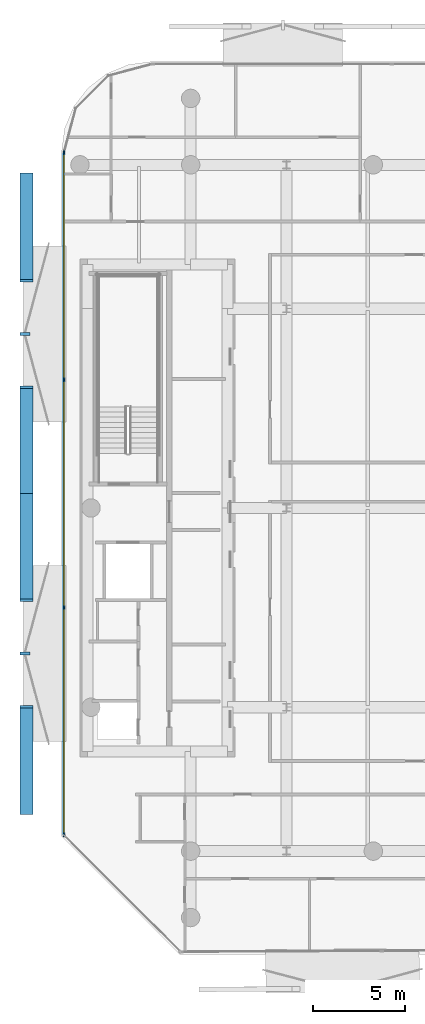
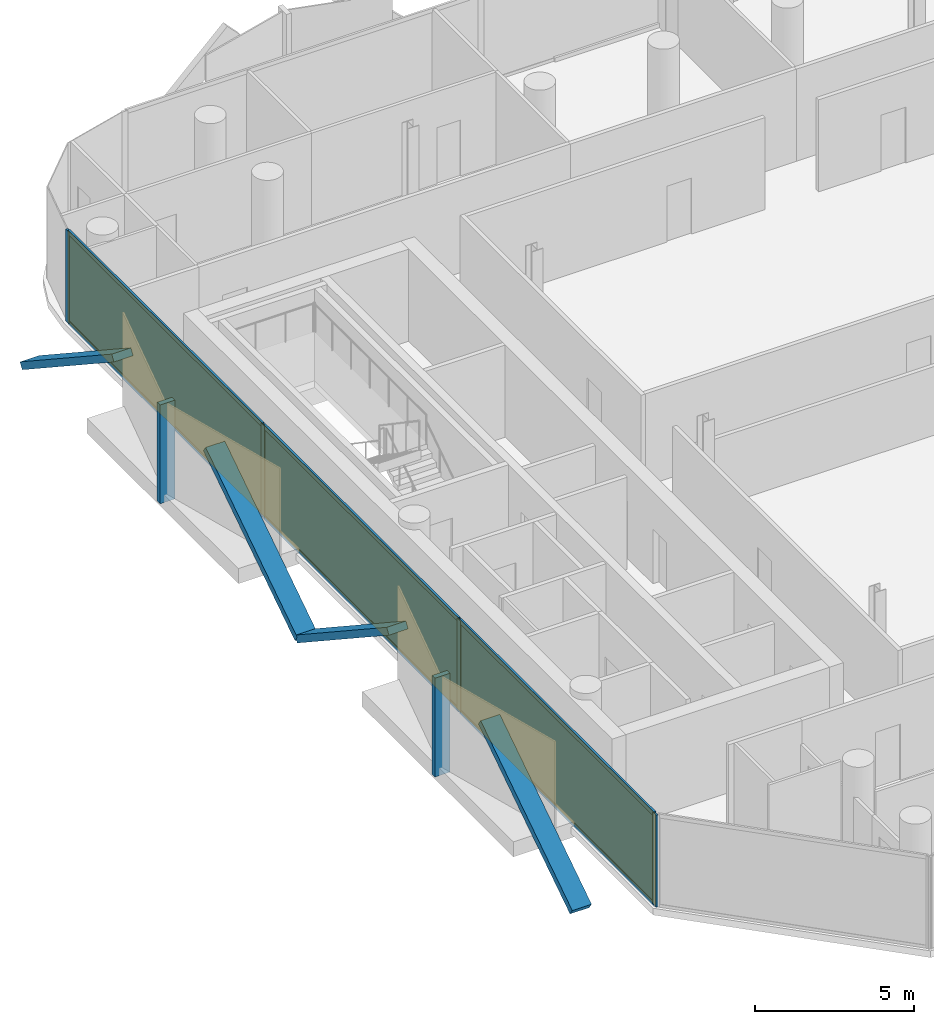
# One storey, part 10 of 15: 16 members, 3 plates, 1 curtain wall.
"""IFC4 building model written with IfcOpenShell, lengths in metres."""

from ifc_helpers import new_model, si_unit, direction, frame, frame_2d, origin, origin_2d, place, context, subcontext, project, spatial, rectangle, extrude, material, layer, layer_set, material_profile, profile_set, type_object, element, aggregate, save


model = new_model("IFC4")

# Units and contexts
model_context = context("Model", 3, precision=1e-05, world=origin(), true_north=direction((0.0, 1.0)))
body_context = subcontext(model_context, "Body", "Model", "MODEL_VIEW")
ifc_project = project(units=[si_unit("LENGTHUNIT", "METRE"), si_unit("AREAUNIT", "SQUARE_METRE"), si_unit("VOLUMEUNIT", "CUBIC_METRE"), si_unit("PLANEANGLEUNIT", "RADIAN"), si_unit("MASSUNIT", "GRAM", prefix="KILO")], contexts=[model_context])

# Member
ifc_material_1 = material(Name="Anodised Bronze Aluminium 6063-T6", Category="aluminium")
ifc_material_profile_1 = material_profile(ifc_material_1, rectangle(XDim=0.260009765625, YDim=0.699951171875, at=origin_2d()))
ifc_profile_set_1 = profile_set([ifc_material_profile_1], Name="Anodised Bronze Aluminium 6063-T6")
member_type_1 = type_object("IfcMemberType", Name="Bronze Diamond Solar-Screen Lattice Rib BDL-700", PredefinedType="MULLION", material=ifc_profile_set_1)
site_placement = place(None, origin())
building_placement = place(site_placement, origin())
storey_placement = place(building_placement, frame((0.0, 0.0, 289.0)))
member_1_placement = place(storey_placement, frame((-23.300048828125, -16.5419921875, -0.1298828125), z_axis=(0.0, 0.835253974291, 0.549864345481), x_axis=(0.0, -0.549864345481, 0.835253974291)))
member_1 = element("IfcMember", 1, at=member_1_placement, type_object=member_type_1, Name="L69 Bronze Diamond Solar Screen Lattice Rib 480A", PredefinedType="MULLION", context=body_context, shape_type="SweptSolid", body=[
    extrude(rectangle(XDim=0.260009765625, YDim=0.699951171875, at=origin_2d()), origin(), (0.0, 0.0, 1.0), 6.910400390625),
])

member_2_placement = place(storey_placement, frame((-23.300048828125, 0.7744140625, -0.1298828125), z_axis=(0.0, -0.835264655643, 0.549848119969), x_axis=(0.0, 0.549848119969, 0.835264655643)))
member_2 = element("IfcMember", 2, at=member_2_placement, type_object=member_type_1, Name="L69 Bronze Diamond Solar Screen Lattice Rib 480B", PredefinedType="MULLION", context=body_context, shape_type="SweptSolid", body=[
    extrude(rectangle(XDim=0.260009765625, YDim=0.699951171875, at=origin_2d()), origin(), (0.0, 0.0, 1.0), 6.91064453125),
])

member_3_placement = place(storey_placement, frame((-23.300048828125, 0.7744140625, -0.1298828125), z_axis=(0.0, 0.835253974291, 0.549864345481), x_axis=(0.0, -0.549864345481, 0.835253974291)))
member_3 = element("IfcMember", 3, at=member_3_placement, type_object=member_type_1, Name="L69 Bronze Diamond Solar Screen Lattice Rib 481A", PredefinedType="MULLION", context=body_context, shape_type="SweptSolid", body=[
    extrude(rectangle(XDim=0.260009765625, YDim=0.699951171875, at=origin_2d()), origin(), (0.0, 0.0, 1.0), 6.910400390625),
])

member_4_placement = place(storey_placement, frame((-23.300048828125, 18.0908203125, -0.1298828125), z_axis=(0.0, -0.835264655643, 0.549848119969), x_axis=(0.0, 0.549848119969, 0.835264655643)))
member_4 = element("IfcMember", 4, at=member_4_placement, type_object=member_type_1, Name="L69 Bronze Diamond Solar Screen Lattice Rib 481B", PredefinedType="MULLION", context=body_context, shape_type="SweptSolid", body=[
    extrude(rectangle(XDim=0.260009765625, YDim=0.699951171875, at=origin_2d()), origin(), (0.0, 0.0, 1.0), 6.91064453125),
])

ifc_material_2 = material(Name="Anodised Bronze Aluminium 6063-T6", Category="aluminium")
ifc_material_profile_2 = material_profile(ifc_material_2, rectangle(XDim=0.179931640625, YDim=0.5400390625, at=origin_2d()))
ifc_profile_set_2 = profile_set([ifc_material_profile_2], Name="Anodised Bronze Aluminium 6063-T6")
member_type_2 = type_object("IfcMemberType", Name="Bronze Solar-Screen Vertical Fold Fin BSF-540", PredefinedType="MULLION", material=ifc_profile_set_2)
member_5_placement = place(storey_placement, frame((-23.3798828125, -7.8837890625, -0.1298828125), z_axis=(0.0, 0.0, 1.0), x_axis=(0.0, 1.0, 0.0)))
member_5 = element("IfcMember", 5, at=member_5_placement, type_object=member_type_2, Name="L69 Bronze Solar Screen Vertical Fin 480", PredefinedType="MULLION", context=body_context, shape_type="SweptSolid", body=[
    extrude(rectangle(XDim=0.179931640625, YDim=0.5400390625, at=origin_2d()), origin(), (0.0, 0.0, 1.0), 3.7998046875),
])

member_6_placement = place(storey_placement, frame((-23.3798828125, 9.4326171875, -0.1298828125), z_axis=(0.0, 0.0, 1.0), x_axis=(0.0, 1.0, 0.0)))
member_6 = element("IfcMember", 6, at=member_6_placement, type_object=member_type_2, Name="L69 Bronze Solar Screen Vertical Fin 481", PredefinedType="MULLION", context=body_context, shape_type="SweptSolid", body=[
    extrude(rectangle(XDim=0.179931640625, YDim=0.5400390625, at=origin_2d()), origin(), (0.0, 0.0, 1.0), 3.7998046875),
])

ifc_material_3 = material(Name="Anodised Bronze Aluminium 6063-T6", Category="aluminium")
ifc_material_profile_3 = material_profile(ifc_material_3, rectangle(XDim=0.074951171875, YDim=0.2099609375, at=origin_2d()))
ifc_profile_set_3 = profile_set([ifc_material_profile_3], Name="Anodised Bronze Aluminium 6063-T6")
member_type_3 = type_object("IfcMemberType", Name="CW-CRN Mullion 75x210", PredefinedType="MULLION", material=ifc_profile_set_3)
member_7_placement = place(storey_placement, frame((-21.260009765625, -17.70458984375, 0.0), z_axis=(0.0, 0.0, 1.0), x_axis=(-1.0, 0.0, 0.0)))
member_7 = element("IfcMember", 7, at=member_7_placement, type_object=member_type_3, Name="CW-CRN mullion 1", PredefinedType="MULLION", context=body_context, shape_type="SweptSolid", body=[
    extrude(rectangle(XDim=0.074951171875, YDim=0.2099609375, at=origin_2d()), origin(), (0.0, 0.0, 1.0), 3.5400390625),
])

member_8_placement = place(storey_placement, frame((-21.260009765625, -5.397705078125, 0.0), z_axis=(0.0, 0.0, 1.0), x_axis=(-1.0, 0.0, 0.0)))
member_8 = element("IfcMember", 8, at=member_8_placement, type_object=member_type_3, Name="CW-CRN mullion 2", PredefinedType="MULLION", context=body_context, shape_type="SweptSolid", body=[
    extrude(rectangle(XDim=0.074951171875, YDim=0.2099609375, at=origin_2d()), origin(), (0.0, 0.0, 1.0), 3.5400390625),
])

member_9_placement = place(storey_placement, frame((-21.260009765625, 6.946533203125, 0.0), z_axis=(0.0, 0.0, 1.0), x_axis=(-1.0, 0.0, 0.0)))
member_9 = element("IfcMember", 9, at=member_9_placement, type_object=member_type_3, Name="CW-CRN mullion 3", PredefinedType="MULLION", context=body_context, shape_type="SweptSolid", body=[
    extrude(rectangle(XDim=0.074951171875, YDim=0.2099609375, at=origin_2d()), origin(), (0.0, 0.0, 1.0), 3.5400390625),
])

member_10_placement = place(storey_placement, frame((-21.260009765625, 19.25341796875, 0.0), z_axis=(0.0, 0.0, 1.0), x_axis=(-1.0, 0.0, 0.0)))
member_10 = element("IfcMember", 10, at=member_10_placement, type_object=member_type_3, Name="CW-CRN mullion 4", PredefinedType="MULLION", context=body_context, shape_type="SweptSolid", body=[
    extrude(rectangle(XDim=0.074951171875, YDim=0.2099609375, at=origin_2d()), origin(), (0.0, 0.0, 1.0), 3.5400390625),
])

ifc_material_4 = material(Name="Anodised Bronze Aluminium 6063-T6", Category="aluminium")
ifc_material_profile_4 = material_profile(ifc_material_4, rectangle(XDim=0.074951171875, YDim=0.1650390625, at=origin_2d()))
ifc_profile_set_4 = profile_set([ifc_material_profile_4], Name="Anodised Bronze Aluminium 6063-T6")
member_type_4 = type_object("IfcMemberType", Name="CW-CRN Transom 75x165", PredefinedType="USERDEFINED", material=ifc_profile_set_4)
member_11_placement = place(storey_placement, frame((-21.260009765625, -17.6669921875, 0.03759765625), z_axis=(0.0, 1.0, 0.0), x_axis=(-1.0, 0.0, 0.0)))
member_11 = element("IfcMember", 11, at=member_11_placement, type_object=member_type_4, Name="CW-CRN transom 1.1", ObjectType="TRANSOM", PredefinedType="USERDEFINED", context=body_context, shape_type="SweptSolid", body=[
    extrude(rectangle(XDim=0.074951171875, YDim=0.1650390625, at=origin_2d()), origin(), (0.0, 0.0, 1.0), 12.231689453125),
])

member_12_placement = place(storey_placement, frame((-21.260009765625, -17.6669921875, 3.50244140625), z_axis=(0.0, 1.0, 0.0), x_axis=(-1.0, 0.0, 0.0)))
member_12 = element("IfcMember", 12, at=member_12_placement, type_object=member_type_4, Name="CW-CRN transom 1.2", ObjectType="TRANSOM", PredefinedType="USERDEFINED", context=body_context, shape_type="SweptSolid", body=[
    extrude(rectangle(XDim=0.074951171875, YDim=0.1650390625, at=origin_2d()), origin(), (0.0, 0.0, 1.0), 12.231689453125),
])

member_13_placement = place(storey_placement, frame((-21.260009765625, -5.3603515625, 0.03759765625), z_axis=(0.0, 1.0, 0.0), x_axis=(-1.0, 0.0, 0.0)))
member_13 = element("IfcMember", 13, at=member_13_placement, type_object=member_type_4, Name="CW-CRN transom 2.1", ObjectType="TRANSOM", PredefinedType="USERDEFINED", context=body_context, shape_type="SweptSolid", body=[
    extrude(rectangle(XDim=0.074951171875, YDim=0.1650390625, at=origin_2d()), origin(), (0.0, 0.0, 1.0), 12.269287109375),
])

member_14_placement = place(storey_placement, frame((-21.260009765625, -5.3603515625, 3.50244140625), z_axis=(0.0, 1.0, 0.0), x_axis=(-1.0, 0.0, 0.0)))
member_14 = element("IfcMember", 14, at=member_14_placement, type_object=member_type_4, Name="CW-CRN transom 2.2", ObjectType="TRANSOM", PredefinedType="USERDEFINED", context=body_context, shape_type="SweptSolid", body=[
    extrude(rectangle(XDim=0.074951171875, YDim=0.1650390625, at=origin_2d()), origin(), (0.0, 0.0, 1.0), 12.269287109375),
])

member_15_placement = place(storey_placement, frame((-21.260009765625, 6.984130859375, 0.03759765625), z_axis=(0.0, 1.0, 0.0), x_axis=(-1.0, 0.0, 0.0)))
member_15 = element("IfcMember", 15, at=member_15_placement, type_object=member_type_4, Name="CW-CRN transom 3.1", ObjectType="TRANSOM", PredefinedType="USERDEFINED", context=body_context, shape_type="SweptSolid", body=[
    extrude(rectangle(XDim=0.074951171875, YDim=0.1650390625, at=origin_2d()), origin(), (0.0, 0.0, 1.0), 12.231689453125),
])

member_16_placement = place(storey_placement, frame((-21.260009765625, 6.984130859375, 3.50244140625), z_axis=(0.0, 1.0, 0.0), x_axis=(-1.0, 0.0, 0.0)))
member_16 = element("IfcMember", 16, at=member_16_placement, type_object=member_type_4, Name="CW-CRN transom 3.2", ObjectType="TRANSOM", PredefinedType="USERDEFINED", context=body_context, shape_type="SweptSolid", body=[
    extrude(rectangle(XDim=0.074951171875, YDim=0.1650390625, at=origin_2d()), origin(), (0.0, 0.0, 1.0), 12.231689453125),
])

# Plate
ifc_material_5 = material(Name="Low-E Solar Control Laminated Glass", Category="glass")
ifc_layer_1 = layer(ifc_material_5, 0.035888671875, Name="Low-E Solar Control Laminated Glass")
ifc_layer_set_1 = layer_set([ifc_layer_1], Name="Low-E Solar Control Laminated Glass")
plate_type = type_object("IfcPlateType", Name="CW-CRN Low-E Double Glazed Panel 36mm", PredefinedType="CURTAIN_PANEL", material=ifc_layer_set_1)
plate_1_placement = place(storey_placement, frame((-21.260009765625, -11.551025390625, 0.0751953125), z_axis=(0.0, 0.0, 1.0), x_axis=(0.0, 1.0, 0.0)))
plate_1 = element("IfcPlate", 17, at=plate_1_placement, type_object=plate_type, Name="CW-CRN panel 1.1", PredefinedType="CURTAIN_PANEL", context=body_context, shape_type="SweptSolid", body=[
    extrude(rectangle(XDim=12.231689453125, YDim=0.035888671875, at=origin_2d()), origin(), (0.0, 0.0, 1.0), 3.389892578125),
])

plate_2_placement = place(storey_placement, frame((-21.260009765625, 0.7744140625, 0.0751953125), z_axis=(0.0, 0.0, 1.0), x_axis=(0.0, 1.0, 0.0)))
plate_2 = element("IfcPlate", 18, at=plate_2_placement, type_object=plate_type, Name="CW-CRN panel 2.1", PredefinedType="CURTAIN_PANEL", context=body_context, shape_type="SweptSolid", body=[
    extrude(rectangle(XDim=12.269287109375, YDim=0.035888671875, at=origin_2d()), origin(), (0.0, 0.0, 1.0), 3.389892578125),
])

plate_3_placement = place(storey_placement, frame((-21.260009765625, 13.099853515625, 0.0751953125), z_axis=(0.0, 0.0, 1.0), x_axis=(0.0, 1.0, 0.0)))
plate_3 = element("IfcPlate", 19, at=plate_3_placement, type_object=plate_type, Name="CW-CRN panel 3.1", PredefinedType="CURTAIN_PANEL", context=body_context, shape_type="SweptSolid", body=[
    extrude(rectangle(XDim=12.231689453125, YDim=0.035888671875, at=origin_2d()), origin(), (0.0, 0.0, 1.0), 3.389892578125),
])

# Site, building, storey
site = spatial("IfcSite", under=ifc_project, at=site_placement, CompositionType="ELEMENT")
building = spatial("IfcBuilding", under=site, at=building_placement, Name="Khairoan Windgate Tower", CompositionType="ELEMENT")
storey = spatial("IfcBuildingStorey", under=building, at=storey_placement, Name="L69", CompositionType="ELEMENT", Elevation=289.0)

# Curtain wall
ifc_material_6 = material(Name="Anodised Bronze Aluminium 6063-T6", Category="aluminium")
ifc_layer_2 = layer(ifc_material_6, 0.2099609375, Name="Anodised Bronze Aluminium 6063-T6")
ifc_layer_set_2 = layer_set([ifc_layer_2], Name="Anodised Bronze Aluminium 6063-T6")
curtain_wall_type = type_object("IfcCurtainWallType", Name="Crown Observation and Vitrine Curtain Wall CW-CRN", PredefinedType="NOTDEFINED", material=ifc_layer_set_2)
curtain_wall_placement = place(storey_placement, frame((-21.260009765625, -17.741943359375, 0.0), z_axis=(0.0, 0.0, 1.0), x_axis=(0.0, 1.0, 0.0)))
curtain_wall = element("IfcCurtainWall", 20, at=curtain_wall_placement, inside=storey, type_object=curtain_wall_type, Name="L69 Unitised Curtain Wall 3", PredefinedType="NOTDEFINED", context=body_context, shape_type="SweptSolid", body=[
    extrude(rectangle(XDim=37.03271484375, YDim=0.010009765625, at=frame_2d((18.516357421875, 0.0))), origin(), (0.0, 0.0, 1.0), 3.5400390625),
])

aggregate(curtain_wall, [member_7, member_8, member_9, member_10, member_11, member_12, plate_1, member_13, member_14, plate_2, member_15, member_16, plate_3, member_1, member_2, member_5, member_3, member_4, member_6])

save(model, "model.ifc")
